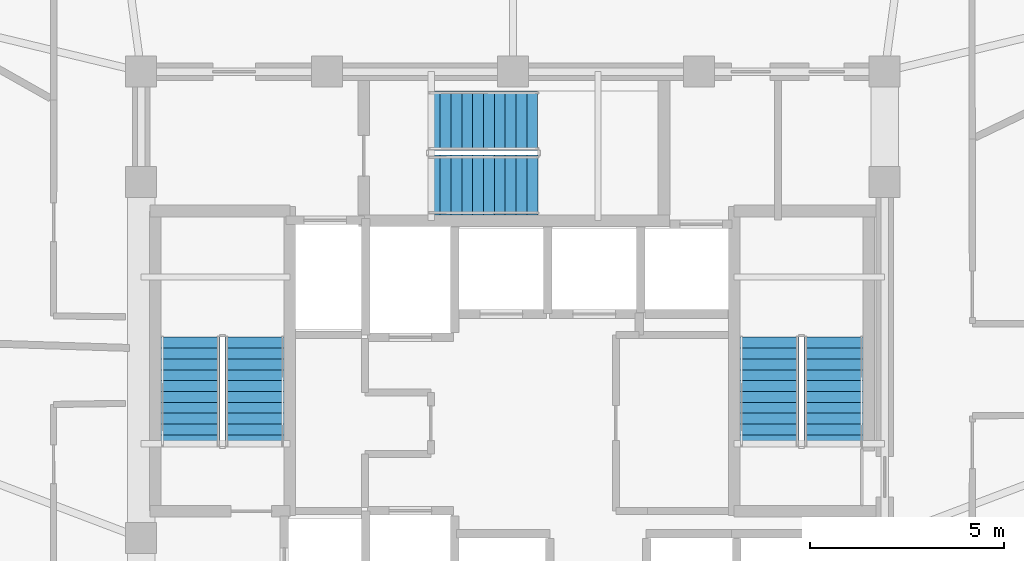
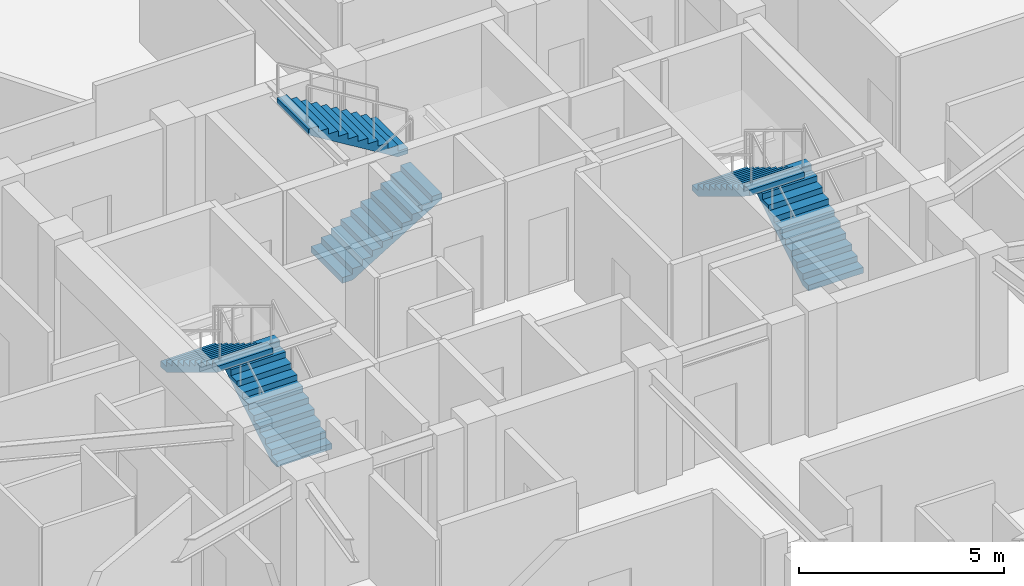
# One storey, part 25 of 29: 6 stair flights, 3 elements without a shape of their own.
"""IFC4 building model written with IfcOpenShell, lengths in metres."""

from ifc_helpers import new_model, si_unit, direction, frame, origin, place, context, subcontext, project, spatial, polyline, outline, extrude, material, type_object, element, aggregate, save


model = new_model("IFC4")

# Units and contexts
model_context = context("Model", 3, precision=1e-05, world=origin(), true_north=direction((0.0, 1.0)))
body_context = subcontext(model_context, "Body", "Model", "MODEL_VIEW")
ifc_project = project(units=[si_unit("LENGTHUNIT", "METRE"), si_unit("AREAUNIT", "SQUARE_METRE"), si_unit("VOLUMEUNIT", "CUBIC_METRE"), si_unit("PLANEANGLEUNIT", "RADIAN"), si_unit("MASSUNIT", "GRAM", prefix="KILO")], contexts=[model_context])

# Site, building, storey
site_placement = place(None, origin())
site = spatial("IfcSite", under=ifc_project, at=site_placement, CompositionType="ELEMENT")
building_placement = place(site_placement, origin())
building = spatial("IfcBuilding", under=site, at=building_placement, Name="Vantalir Tower", CompositionType="ELEMENT")
storey_placement = place(building_placement, frame((0.0, 0.0, 234.89990234375)))
storey = spatial("IfcBuildingStorey", under=building, at=storey_placement, Name="L59", CompositionType="ELEMENT", Elevation=234.89990234375)

# Stair, stair flights
ifc_material = material(Name="Concrete C40/50", Category="concrete")
stair_type = type_object("IfcStairType", Name="STR-CORE-1450", PredefinedType="HALF_TURN_STAIR", material=ifc_material)
stair_1_placement = place(storey_placement, origin())
stair_1 = element("IfcStair", 1, at=stair_1_placement, inside=storey, type_object=stair_type, Name="L59 Core Exit Stair 1", PredefinedType="HALF_TURN_STAIR")
stair_flight_type = type_object("IfcStairFlightType", Name="FLT-CORE-1450", PredefinedType="STRAIGHT", material=ifc_material)
stair_flight_1_placement = place(storey_placement, frame((24.830078125, 22.7900390625, 0.0), z_axis=(0.0, 0.0, 1.0), x_axis=(0.0, 1.0, 0.0)))
stair_flight_1 = element("IfcStairFlight", 2, at=stair_flight_1_placement, type_object=stair_flight_type, Name="ST1 flight 1", NumberOfRisers=11, NumberOfTreads=10, PredefinedType="STRAIGHT", RiserHeight=0.170454545, TreadLength=0.28, context=body_context, shape_type="SweptSolid", body=[
    extrude(outline(polyline([(0.0, 0.0), (0.0, 0.17041015625), (0.280029296875, 0.17041015625), (0.280029296875, 0.3408203125), (0.56005859375, 0.3408203125), (0.56005859375, 0.511474609375), (0.840087890625, 0.511474609375), (0.840087890625, 0.681884765625), (1.1201171875, 0.681884765625), (1.1201171875, 0.852294921875), (1.39990234375, 0.852294921875), (1.39990234375, 1.022705078125), (1.679931640625, 1.022705078125), (1.679931640625, 1.193115234375), (1.9599609375, 1.193115234375), (1.9599609375, 1.363525390625), (2.239990234375, 1.363525390625), (2.239990234375, 1.5341796875), (2.52001953125, 1.5341796875), (2.52001953125, 1.70458984375), (2.800048828125, 1.70458984375), (2.800048828125, 1.875), (2.800048828125, 1.529052734375), (0.288330078125, 0.0), (0.0, 0.0)])), frame((0.0, 0.77001953125, 0.0), z_axis=(0.0, -1.0, 0.0), x_axis=(1.0, 0.0, 0.0)), (0.0, 0.0, 1.0), 1.5400390625),
])
stair_flight_2_placement = place(storey_placement, frame((23.169921875, 25.590087890625, 1.875), z_axis=(0.0, 0.0, 1.0), x_axis=(0.0, -1.0, 0.0)))
stair_flight_2 = element("IfcStairFlight", 3, at=stair_flight_2_placement, type_object=stair_flight_type, Name="ST1 flight 2", NumberOfRisers=11, NumberOfTreads=10, PredefinedType="STRAIGHT", RiserHeight=0.170454545, TreadLength=0.28, context=body_context, shape_type="SweptSolid", body=[
    extrude(outline(polyline([(0.0, 0.0), (0.0, 0.17041015625), (0.280029296875, 0.17041015625), (0.280029296875, 0.3408203125), (0.56005859375, 0.3408203125), (0.56005859375, 0.511474609375), (0.840087890625, 0.511474609375), (0.840087890625, 0.681884765625), (1.1201171875, 0.681884765625), (1.1201171875, 0.852294921875), (1.39990234375, 0.852294921875), (1.39990234375, 1.022705078125), (1.679931640625, 1.022705078125), (1.679931640625, 1.193115234375), (1.9599609375, 1.193115234375), (1.9599609375, 1.363525390625), (2.239990234375, 1.363525390625), (2.239990234375, 1.5341796875), (2.52001953125, 1.5341796875), (2.52001953125, 1.70458984375), (2.800048828125, 1.70458984375), (2.800048828125, 1.875), (2.800048828125, 1.529052734375), (0.288330078125, 0.0), (0.0, 0.0)])), frame((0.0, 0.77001953125, 0.0), z_axis=(0.0, -1.0, 0.0), x_axis=(1.0, 0.0, 0.0)), (0.0, 0.0, 1.0), 1.5400390625),
])
aggregate(stair_1, [stair_flight_1, stair_flight_2])

stair_2_placement = place(storey_placement, origin())
stair_2 = element("IfcStair", 4, at=stair_2_placement, inside=storey, type_object=stair_type, Name="L59 Core Exit Stair 2", PredefinedType="HALF_TURN_STAIR")
stair_flight_3_placement = place(storey_placement, frame((39.780029296875, 22.7900390625, 0.0), z_axis=(0.0, 0.0, 1.0), x_axis=(0.0, 1.0, 0.0)))
stair_flight_3 = element("IfcStairFlight", 5, at=stair_flight_3_placement, type_object=stair_flight_type, Name="ST2 flight 1", NumberOfRisers=11, NumberOfTreads=10, PredefinedType="STRAIGHT", RiserHeight=0.170454545, TreadLength=0.28, context=body_context, shape_type="SweptSolid", body=[
    extrude(outline(polyline([(0.0, 0.0), (0.0, 0.17041015625), (0.280029296875, 0.17041015625), (0.280029296875, 0.3408203125), (0.56005859375, 0.3408203125), (0.56005859375, 0.511474609375), (0.840087890625, 0.511474609375), (0.840087890625, 0.681884765625), (1.1201171875, 0.681884765625), (1.1201171875, 0.852294921875), (1.39990234375, 0.852294921875), (1.39990234375, 1.022705078125), (1.679931640625, 1.022705078125), (1.679931640625, 1.193115234375), (1.9599609375, 1.193115234375), (1.9599609375, 1.363525390625), (2.239990234375, 1.363525390625), (2.239990234375, 1.5341796875), (2.52001953125, 1.5341796875), (2.52001953125, 1.70458984375), (2.800048828125, 1.70458984375), (2.800048828125, 1.875), (2.800048828125, 1.529052734375), (0.288330078125, 0.0), (0.0, 0.0)])), frame((0.0, 0.77001953125, 0.0), z_axis=(0.0, -1.0, 0.0), x_axis=(1.0, 0.0, 0.0)), (0.0, 0.0, 1.0), 1.5400390625),
])
stair_flight_4_placement = place(storey_placement, frame((38.1201171875, 25.590087890625, 1.875), z_axis=(0.0, 0.0, 1.0), x_axis=(0.0, -1.0, 0.0)))
stair_flight_4 = element("IfcStairFlight", 6, at=stair_flight_4_placement, type_object=stair_flight_type, Name="ST2 flight 2", NumberOfRisers=11, NumberOfTreads=10, PredefinedType="STRAIGHT", RiserHeight=0.170454545, TreadLength=0.28, context=body_context, shape_type="SweptSolid", body=[
    extrude(outline(polyline([(0.0, 0.0), (0.0, 0.17041015625), (0.280029296875, 0.17041015625), (0.280029296875, 0.3408203125), (0.56005859375, 0.3408203125), (0.56005859375, 0.511474609375), (0.840087890625, 0.511474609375), (0.840087890625, 0.681884765625), (1.1201171875, 0.681884765625), (1.1201171875, 0.852294921875), (1.39990234375, 0.852294921875), (1.39990234375, 1.022705078125), (1.679931640625, 1.022705078125), (1.679931640625, 1.193115234375), (1.9599609375, 1.193115234375), (1.9599609375, 1.363525390625), (2.239990234375, 1.363525390625), (2.239990234375, 1.5341796875), (2.52001953125, 1.5341796875), (2.52001953125, 1.70458984375), (2.800048828125, 1.70458984375), (2.800048828125, 1.875), (2.800048828125, 1.529052734375), (0.288330078125, 0.0), (0.0, 0.0)])), frame((0.0, 0.77001953125, 0.0), z_axis=(0.0, -1.0, 0.0), x_axis=(1.0, 0.0, 0.0)), (0.0, 0.0, 1.0), 1.5400390625),
])
aggregate(stair_2, [stair_flight_3, stair_flight_4])

stair_3_placement = place(storey_placement, origin())
stair_3 = element("IfcStair", 7, at=stair_3_placement, inside=storey, type_object=stair_type, Name="L59 Core Exit Stair 3", PredefinedType="HALF_TURN_STAIR")
stair_flight_5_placement = place(storey_placement, frame((29.340087890625, 29.52001953125, 0.0), z_axis=(0.0, 0.0, 1.0), x_axis=(1.0, 0.0, 0.0)))
stair_flight_5 = element("IfcStairFlight", 8, at=stair_flight_5_placement, type_object=stair_flight_type, Name="ST3 flight 1", NumberOfRisers=11, NumberOfTreads=10, PredefinedType="STRAIGHT", RiserHeight=0.170454545, TreadLength=0.28, context=body_context, shape_type="SweptSolid", body=[
    extrude(outline(polyline([(0.0, 0.0), (0.0, 0.17041015625), (0.280029296875, 0.17041015625), (0.280029296875, 0.3408203125), (0.56005859375, 0.3408203125), (0.56005859375, 0.511474609375), (0.840087890625, 0.511474609375), (0.840087890625, 0.681884765625), (1.1201171875, 0.681884765625), (1.1201171875, 0.852294921875), (1.39990234375, 0.852294921875), (1.39990234375, 1.022705078125), (1.679931640625, 1.022705078125), (1.679931640625, 1.193115234375), (1.9599609375, 1.193115234375), (1.9599609375, 1.363525390625), (2.239990234375, 1.363525390625), (2.239990234375, 1.5341796875), (2.52001953125, 1.5341796875), (2.52001953125, 1.70458984375), (2.800048828125, 1.70458984375), (2.800048828125, 1.875), (2.800048828125, 1.529052734375), (0.288330078125, 0.0), (0.0, 0.0)])), frame((0.0, 0.77001953125, 0.0), z_axis=(0.0, -1.0, 0.0), x_axis=(1.0, 0.0, 0.0)), (0.0, 0.0, 1.0), 1.5400390625),
])
stair_flight_6_placement = place(storey_placement, frame((32.139892578125, 31.179931640625, 1.875), z_axis=(0.0, 0.0, 1.0), x_axis=(-1.0, 0.0, 0.0)))
stair_flight_6 = element("IfcStairFlight", 9, at=stair_flight_6_placement, type_object=stair_flight_type, Name="ST3 flight 2", NumberOfRisers=11, NumberOfTreads=10, PredefinedType="STRAIGHT", RiserHeight=0.170454545, TreadLength=0.28, context=body_context, shape_type="SweptSolid", body=[
    extrude(outline(polyline([(0.0, 0.0), (0.0, 0.17041015625), (0.280029296875, 0.17041015625), (0.280029296875, 0.3408203125), (0.56005859375, 0.3408203125), (0.56005859375, 0.511474609375), (0.840087890625, 0.511474609375), (0.840087890625, 0.681884765625), (1.1201171875, 0.681884765625), (1.1201171875, 0.852294921875), (1.39990234375, 0.852294921875), (1.39990234375, 1.022705078125), (1.679931640625, 1.022705078125), (1.679931640625, 1.193115234375), (1.9599609375, 1.193115234375), (1.9599609375, 1.363525390625), (2.239990234375, 1.363525390625), (2.239990234375, 1.5341796875), (2.52001953125, 1.5341796875), (2.52001953125, 1.70458984375), (2.800048828125, 1.70458984375), (2.800048828125, 1.875), (2.800048828125, 1.529052734375), (0.288330078125, 0.0), (0.0, 0.0)])), frame((0.0, 0.77001953125, 0.0), z_axis=(0.0, -1.0, 0.0), x_axis=(1.0, 0.0, 0.0)), (0.0, 0.0, 1.0), 1.5400390625),
])
aggregate(stair_3, [stair_flight_5, stair_flight_6])

save(model, "model.ifc")
